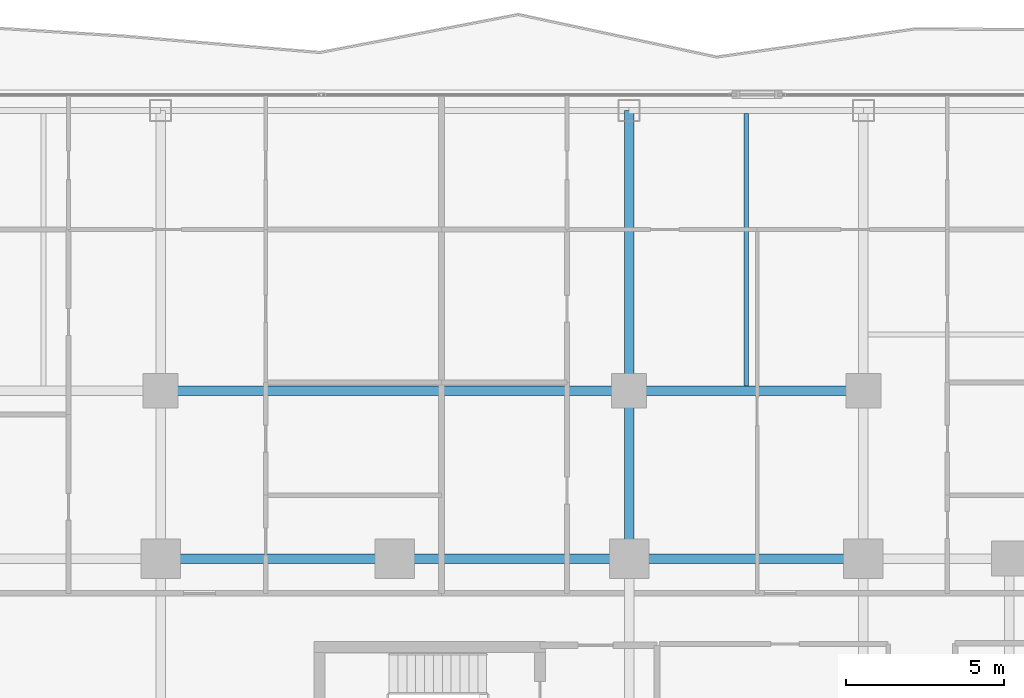
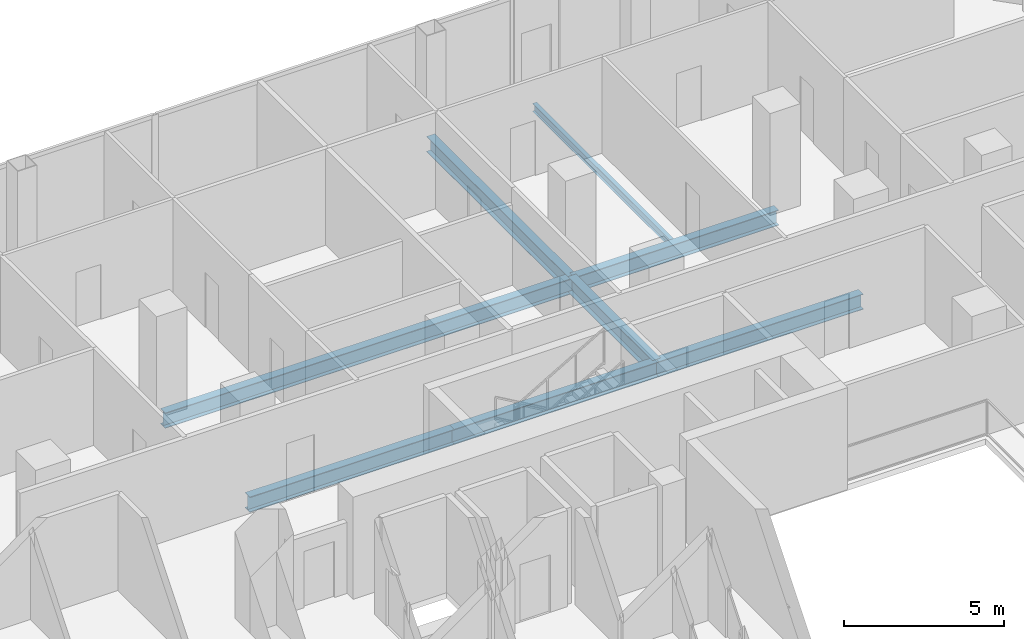
# One storey, part 13 of 27: 8 beams.
"""IFC4 building model written with IfcOpenShell, lengths in metres."""

from ifc_helpers import new_model, si_unit, direction, frame, origin, origin_2d, place, context, subcontext, project, spatial, i_section, extrude, material, material_profile, profile_set, type_object, element, save


model = new_model("IFC4")

# Units and contexts
model_context = context("Model", 3, precision=1e-05, world=origin(), true_north=direction((0.0, 1.0)))
body_context = subcontext(model_context, "Body", "Model", "MODEL_VIEW")
ifc_project = project(units=[si_unit("LENGTHUNIT", "METRE"), si_unit("AREAUNIT", "SQUARE_METRE"), si_unit("VOLUMEUNIT", "CUBIC_METRE"), si_unit("PLANEANGLEUNIT", "RADIAN"), si_unit("MASSUNIT", "GRAM", prefix="KILO")], contexts=[model_context])

# Site, building, storey
site_placement = place(None, origin())
site = spatial("IfcSite", under=ifc_project, at=site_placement, CompositionType="ELEMENT")
building_placement = place(site_placement, origin())
building = spatial("IfcBuilding", under=site, at=building_placement, Name="Khorvyn Point Tower", CompositionType="ELEMENT")
storey_placement = place(building_placement, frame((0.0, 0.0, 125.10009765625)))
storey = spatial("IfcBuildingStorey", under=building, at=storey_placement, Name="L31", CompositionType="ELEMENT", Elevation=125.10009765625)

# Beams
ifc_material = material(Name="Steel S355", Category="steel")
ifc_material_profile_1 = material_profile(ifc_material, i_section(OverallWidth=0.300048828125, OverallDepth=0.587890625, WebThickness=0.011962890625, FlangeThickness=0.02001953125, at=origin_2d()))
ifc_profile_set_1 = profile_set([ifc_material_profile_1], Name="Steel S355 H588x300x12x20")
beam_type_1 = type_object("IfcBeamType", Name="Steel S355 Beam H588x300x12x20", PredefinedType="BEAM", material=ifc_profile_set_1)
for number, where, z_axis, x_axis, name in (
    (1, (-7.39990234375, 14.800048828125, -0.51416015625), (1.0, 0.0, 0.0), (0.0, 1.0, 0.0), "Beam"),
    (2, (0.0, 14.800048828125, -0.51416015625), (1.0, 0.0, 0.0), (0.0, 1.0, 0.0), "Beam"),
):
    element("IfcBeam", number, at=place(storey_placement, frame(where, z_axis=z_axis, x_axis=x_axis)), inside=storey, type_object=beam_type_1, Name=name, PredefinedType="BEAM", context=body_context, shape_type="SweptSolid", body=[
        extrude(i_section(OverallWidth=0.300048828125, OverallDepth=0.587890625, WebThickness=0.011962890625, FlangeThickness=0.02001953125, at=origin_2d()), origin(), (0.0, 0.0, 1.0), 7.39990234375),
    ])
beam_1_placement = place(storey_placement, frame((7.39990234375, 14.800048828125, -0.51416015625), z_axis=(1.0, 0.0, 0.0), x_axis=(0.0, 1.0, 0.0)))
element("IfcBeam", 3, at=beam_1_placement, inside=storey, type_object=beam_type_1, Name="Beam", PredefinedType="BEAM", context=body_context, shape_type="SweptSolid", body=[
    extrude(i_section(OverallWidth=0.300048828125, OverallDepth=0.587890625, WebThickness=0.011962890625, FlangeThickness=0.02001953125, at=origin_2d()), origin(), (0.0, 0.0, 1.0), 7.400146484375),
])
beam_2_placement = place(storey_placement, frame((-7.39990234375, 20.10009765625, -0.51416015625), z_axis=(1.0, 0.0, 0.0), x_axis=(0.0, 1.0, 0.0)))
element("IfcBeam", 4, at=beam_2_placement, inside=storey, type_object=beam_type_1, Name="Beam", PredefinedType="BEAM", context=body_context, shape_type="SweptSolid", body=[
    extrude(i_section(OverallWidth=0.300048828125, OverallDepth=0.587890625, WebThickness=0.011962890625, FlangeThickness=0.02001953125, at=origin_2d()), origin(), (0.0, 0.0, 1.0), 14.7998046875),
])
beam_3_placement = place(storey_placement, frame((7.39990234375, 20.10009765625, -0.51416015625), z_axis=(1.0, 0.0, 0.0), x_axis=(0.0, 1.0, 0.0)))
element("IfcBeam", 5, at=beam_3_placement, inside=storey, type_object=beam_type_1, Name="Beam", PredefinedType="BEAM", context=body_context, shape_type="SweptSolid", body=[
    extrude(i_section(OverallWidth=0.300048828125, OverallDepth=0.587890625, WebThickness=0.011962890625, FlangeThickness=0.02001953125, at=origin_2d()), origin(), (0.0, 0.0, 1.0), 7.400146484375),
])
beam_4_placement = place(storey_placement, frame((7.39990234375, 14.800048828125, -0.51416015625), z_axis=(0.0, 1.0, 0.0), x_axis=(-1.0, 0.0, 0.0)))
element("IfcBeam", 6, at=beam_4_placement, inside=storey, type_object=beam_type_1, Name="Beam", PredefinedType="BEAM", context=body_context, shape_type="SweptSolid", body=[
    extrude(i_section(OverallWidth=0.300048828125, OverallDepth=0.587890625, WebThickness=0.011962890625, FlangeThickness=0.02001953125, at=origin_2d()), origin(), (0.0, 0.0, 1.0), 5.300048828125),
])
beam_5_placement = place(storey_placement, frame((7.39990234375, 20.10009765625, -0.51416015625), z_axis=(0.0, 1.0, 0.0), x_axis=(-1.0, 0.0, 0.0)))
element("IfcBeam", 7, at=beam_5_placement, inside=storey, type_object=beam_type_1, Name="Beam", PredefinedType="BEAM", context=body_context, shape_type="SweptSolid", body=[
    extrude(i_section(OverallWidth=0.300048828125, OverallDepth=0.587890625, WebThickness=0.011962890625, FlangeThickness=0.02001953125, at=origin_2d()), origin(), (0.0, 0.0, 1.0), 8.849853515625),
])
ifc_material_profile_2 = material_profile(ifc_material, i_section(OverallWidth=0.14990234375, OverallDepth=0.300048828125, WebThickness=0.006591796875, FlangeThickness=0.009033203125, at=origin_2d()))
ifc_profile_set_2 = profile_set([ifc_material_profile_2], Name="Steel S355 H300x150x6.5x9")
beam_type_2 = type_object("IfcBeamType", Name="Steel S355 Joist H300x150x6.5x9", PredefinedType="JOIST", material=ifc_profile_set_2)
beam_6_placement = place(storey_placement, frame((11.10009765625, 20.25, -0.3701171875), z_axis=(0.0, 1.0, 0.0), x_axis=(-1.0, 0.0, 0.0)))
element("IfcBeam", 8, at=beam_6_placement, inside=storey, type_object=beam_type_2, Name="Beam", PredefinedType="JOIST", context=body_context, shape_type="SweptSolid", body=[
    extrude(i_section(OverallWidth=0.14990234375, OverallDepth=0.300048828125, WebThickness=0.006591796875, FlangeThickness=0.009033203125, at=origin_2d()), origin(), (0.0, 0.0, 1.0), 8.60009765625),
])

save(model, "model.ifc")
